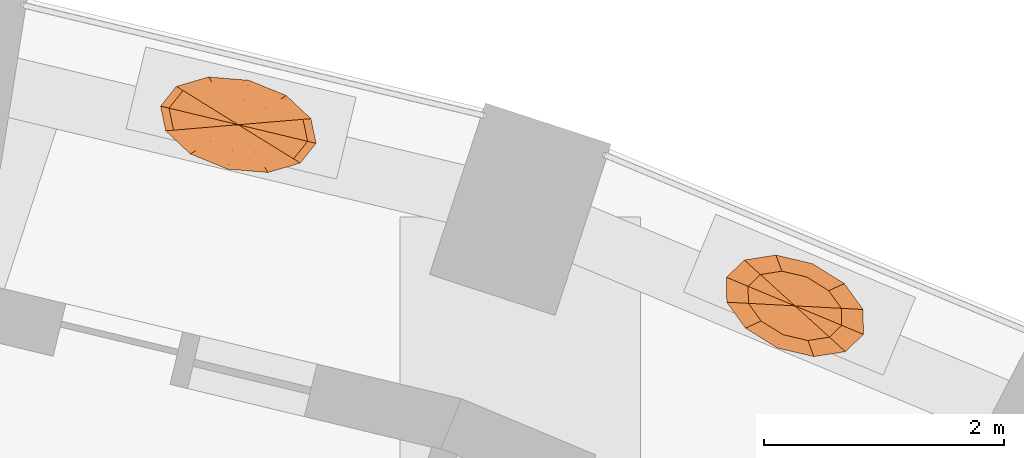
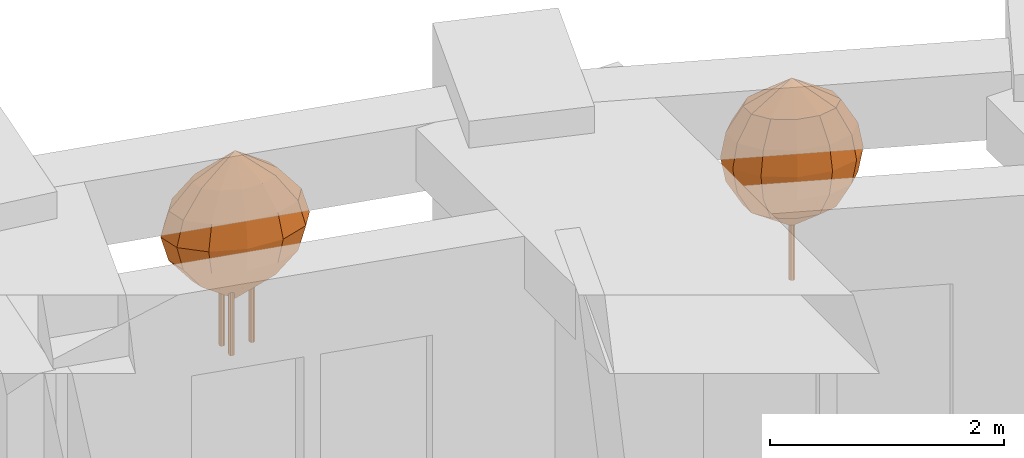
# One storey, part 13 of 13: 2 geographic elements.
"""IFC4 building model written with IfcOpenShell, lengths in metres."""

from ifc_helpers import new_model, si_unit, direction, frame, origin, place, context, subcontext, project, spatial, faceted_brep, material, constituent, constituent_set, type_object, element, save


model = new_model("IFC4")

# Units and contexts
model_context = context("Model", 3, precision=1e-05, world=origin(), true_north=direction((0.0, 1.0)))
body_context = subcontext(model_context, "Body", "Model", "MODEL_VIEW")
ifc_project = project(units=[si_unit("LENGTHUNIT", "METRE"), si_unit("AREAUNIT", "SQUARE_METRE"), si_unit("VOLUMEUNIT", "CUBIC_METRE"), si_unit("PLANEANGLEUNIT", "RADIAN"), si_unit("MASSUNIT", "GRAM", prefix="KILO")], contexts=[model_context])

# Site, building, storey
site_placement = place(None, origin())
site = spatial("IfcSite", under=ifc_project, at=site_placement, CompositionType="ELEMENT")
building_placement = place(site_placement, origin())
building = spatial("IfcBuilding", under=site, at=building_placement, Name="Taillehof Tower", CompositionType="ELEMENT")
storey_placement = place(building_placement, frame((0.0, 0.0, 67.89990234375)))
storey = spatial("IfcBuildingStorey", under=building, at=storey_placement, Name="L18", CompositionType="ELEMENT", Elevation=67.89990234375)

# Geographic elements
ifc_material_1 = material(Name="Tree bark", Category="timber")
ifc_constituent_1 = constituent(ifc_material_1, Name="Trunk", Category="timber")
ifc_material_2 = material(Name="Tree foliage")
ifc_constituent_2 = constituent(ifc_material_2, Name="Crown")
ifc_constituent_set_1 = constituent_set(constituents=[ifc_constituent_1, ifc_constituent_2], Name="Tree TR1 Columnar hornbeam")
geographic_element_type_1 = type_object("IfcGeographicElementType", Name="Tree TR1 Columnar hornbeam", PredefinedType="USERDEFINED", material=ifc_constituent_set_1)
geographic_element_1_placement = place(storey_placement, frame((11.947509765625, 22.923583984375, 0.75)))
element("IfcGeographicElement", 1, at=geographic_element_1_placement, inside=storey, type_object=geographic_element_type_1, Name="Tree TR1 Columnar hornbeam", ObjectType="TREE", PredefinedType="USERDEFINED", context=body_context, shape_type="Brep", body=[
    faceted_brep([(0.030029296875, 0.0, 0.0), (0.021240234375, 0.021240234375, 0.0), (0.021240234375, 0.021240234375, 1.092529296875), (0.030029296875, 0.0, 1.092529296875), (0.0, 0.030029296875, 0.0), (0.0, 0.030029296875, 1.092529296875), (-0.021240234375, 0.021240234375, 0.0), (-0.021240234375, 0.021240234375, 1.092529296875), (-0.030029296875, 0.0, 0.0), (-0.030029296875, 0.0, 1.092529296875), (-0.021240234375, -0.021240234375, 0.0), (-0.021240234375, -0.021240234375, 1.092529296875), (0.0, -0.030029296875, 0.0), (0.0, -0.030029296875, 1.092529296875), (0.021240234375, -0.021240234375, 0.0), (0.021240234375, -0.021240234375, 1.092529296875)], [[[0, 1, 2, 3]], [[1, 4, 5, 2]], [[4, 6, 7, 5]], [[6, 8, 9, 7]], [[8, 10, 11, 9]], [[10, 12, 13, 11]], [[12, 14, 15, 13]], [[14, 0, 3, 15]], [[14, 12, 10, 8, 6, 4, 1, 0]], [[3, 2, 5, 7, 9, 11, 13, 15]]]),
    faceted_brep([(0.0, 0.0, 0.550048828125), (-0.386962890625, 0.020751953125, 0.808349609375), (-0.389404296875, 0.162353515625, 0.808349609375), (-0.28125, -0.126220703125, 0.808349609375), (-0.099853515625, -0.239501953125, 0.808349609375), (0.108154296875, -0.28857421875, 0.808349609375), (0.287109375, -0.26025390625, 0.808349609375), (0.389404296875, -0.162353515625, 0.808349609375), (0.386962890625, -0.020751953125, 0.808349609375), (0.28125, 0.126220703125, 0.808349609375), (0.099853515625, 0.239501953125, 0.808349609375), (-0.108154296875, 0.28857421875, 0.808349609375), (-0.287109375, 0.26025390625, 0.808349609375), (-0.523681640625, 0.028076171875, 1.066650390625), (-0.526611328125, 0.219482421875, 1.066650390625), (-0.38037109375, -0.1708984375, 1.066650390625), (-0.135009765625, -0.323974609375, 1.066650390625), (0.146240234375, -0.390380859375, 1.066650390625), (0.388427734375, -0.35205078125, 1.066650390625), (0.526611328125, -0.219482421875, 1.066650390625), (0.523681640625, -0.028076171875, 1.066650390625), (0.38037109375, 0.1708984375, 1.066650390625), (0.135009765625, 0.323974609375, 1.066650390625), (-0.146240234375, 0.390380859375, 1.066650390625), (-0.388427734375, 0.35205078125, 1.066650390625), (-0.566650390625, 0.0302734375, 1.324951171875), (-0.570068359375, 0.237548828125, 1.324951171875), (-0.41162109375, -0.18505859375, 1.324951171875), (-0.146240234375, -0.350830078125, 1.324951171875), (0.158447265625, -0.422607421875, 1.324951171875), (0.42041015625, -0.381103515625, 1.324951171875), (0.570068359375, -0.237548828125, 1.324951171875), (0.566650390625, -0.0302734375, 1.324951171875), (0.41162109375, 0.18505859375, 1.324951171875), (0.146240234375, 0.350830078125, 1.324951171875), (-0.158447265625, 0.422607421875, 1.324951171875), (-0.42041015625, 0.381103515625, 1.324951171875), (-0.523681640625, 0.028076171875, 1.583251953125), (-0.526611328125, 0.219482421875, 1.583251953125), (-0.38037109375, -0.1708984375, 1.583251953125), (-0.135009765625, -0.323974609375, 1.583251953125), (0.146240234375, -0.390380859375, 1.583251953125), (0.388427734375, -0.35205078125, 1.583251953125), (0.526611328125, -0.219482421875, 1.583251953125), (0.523681640625, -0.028076171875, 1.583251953125), (0.38037109375, 0.1708984375, 1.583251953125), (0.135009765625, 0.323974609375, 1.583251953125), (-0.146240234375, 0.390380859375, 1.583251953125), (-0.388427734375, 0.35205078125, 1.583251953125), (-0.386962890625, 0.020751953125, 1.841552734375), (-0.389404296875, 0.162353515625, 1.841552734375), (-0.28125, -0.126220703125, 1.841552734375), (-0.099853515625, -0.239501953125, 1.841552734375), (0.108154296875, -0.28857421875, 1.841552734375), (0.287109375, -0.26025390625, 1.841552734375), (0.389404296875, -0.162353515625, 1.841552734375), (0.386962890625, -0.020751953125, 1.841552734375), (0.28125, 0.126220703125, 1.841552734375), (0.099853515625, 0.239501953125, 1.841552734375), (-0.108154296875, 0.28857421875, 1.841552734375), (-0.287109375, 0.26025390625, 1.841552734375), (0.0, 0.0, 2.10009765625)], [[[0, 1, 2]], [[0, 3, 1]], [[0, 4, 3]], [[0, 5, 4]], [[0, 6, 5]], [[0, 7, 6]], [[0, 8, 7]], [[0, 9, 8]], [[0, 10, 9]], [[0, 11, 10]], [[0, 12, 11]], [[0, 2, 12]], [[2, 1, 13, 14]], [[1, 3, 15, 13]], [[3, 4, 16, 15]], [[4, 5, 17, 16]], [[5, 6, 18, 17]], [[6, 7, 19, 18]], [[7, 8, 20, 19]], [[8, 9, 21, 20]], [[9, 10, 22, 21]], [[10, 11, 23, 22]], [[11, 12, 24, 23]], [[12, 2, 14, 24]], [[14, 13, 25, 26]], [[13, 15, 27, 25]], [[15, 16, 28, 27]], [[16, 17, 29, 28]], [[17, 18, 30, 29]], [[18, 19, 31, 30]], [[19, 20, 32, 31]], [[20, 21, 33, 32]], [[21, 22, 34, 33]], [[22, 23, 35, 34]], [[23, 24, 36, 35]], [[24, 14, 26, 36]], [[26, 25, 37, 38]], [[25, 27, 39, 37]], [[27, 28, 40, 39]], [[28, 29, 41, 40]], [[29, 30, 42, 41]], [[30, 31, 43, 42]], [[31, 32, 44, 43]], [[32, 33, 45, 44]], [[33, 34, 46, 45]], [[34, 35, 47, 46]], [[35, 36, 48, 47]], [[36, 26, 38, 48]], [[38, 37, 49, 50]], [[37, 39, 51, 49]], [[39, 40, 52, 51]], [[40, 41, 53, 52]], [[41, 42, 54, 53]], [[42, 43, 55, 54]], [[43, 44, 56, 55]], [[44, 45, 57, 56]], [[45, 46, 58, 57]], [[46, 47, 59, 58]], [[47, 48, 60, 59]], [[48, 38, 50, 60]], [[50, 49, 61]], [[49, 51, 61]], [[51, 52, 61]], [[52, 53, 61]], [[53, 54, 61]], [[54, 55, 61]], [[55, 56, 61]], [[56, 57, 61]], [[57, 58, 61]], [[58, 59, 61]], [[59, 60, 61]], [[60, 50, 61]]]),
])
ifc_material_3 = material(Name="Tree bark", Category="timber")
ifc_constituent_3 = constituent(ifc_material_3, Name="Trunk", Category="timber")
ifc_material_4 = material(Name="Tree foliage")
ifc_constituent_4 = constituent(ifc_material_4, Name="Crown")
ifc_constituent_set_2 = constituent_set(constituents=[ifc_constituent_3, ifc_constituent_4], Name="Tree TR3 Multi-stem serviceberry")
geographic_element_type_2 = type_object("IfcGeographicElementType", Name="Tree TR3 Multi-stem serviceberry", PredefinedType="USERDEFINED", material=ifc_constituent_set_2)
geographic_element_2_placement = place(storey_placement, frame((7.31640625, 24.430419921875, 0.75)))
element("IfcGeographicElement", 2, at=geographic_element_2_placement, inside=storey, type_object=geographic_element_type_2, Name="Tree TR3 Multi-stem serviceberry", ObjectType="TREE", PredefinedType="USERDEFINED", context=body_context, shape_type="Brep", body=[
    faceted_brep([(0.195068359375, 0.0, 0.0), (0.186767578125, 0.0205078125, 0.0), (0.186767578125, 0.0205078125, 1.04248046875), (0.195068359375, 0.0, 1.04248046875), (0.166259765625, 0.02880859375, 0.0), (0.166259765625, 0.02880859375, 1.04248046875), (0.145751953125, 0.0205078125, 0.0), (0.145751953125, 0.0205078125, 1.04248046875), (0.137451171875, 0.0, 0.0), (0.137451171875, 0.0, 1.04248046875), (0.145751953125, -0.0205078125, 0.0), (0.145751953125, -0.0205078125, 1.04248046875), (0.166259765625, -0.02880859375, 0.0), (0.166259765625, -0.02880859375, 1.04248046875), (0.186767578125, -0.0205078125, 0.0), (0.186767578125, -0.0205078125, 1.04248046875)], [[[0, 1, 2, 3]], [[1, 4, 5, 2]], [[4, 6, 7, 5]], [[6, 8, 9, 7]], [[8, 10, 11, 9]], [[10, 12, 13, 11]], [[12, 14, 15, 13]], [[14, 0, 3, 15]], [[14, 12, 10, 8, 6, 4, 1, 0]], [[3, 2, 5, 7, 9, 11, 13, 15]]]),
    faceted_brep([(-0.05419921875, 0.082275390625, 0.0), (-0.062744140625, 0.102783203125, 0.0), (-0.062744140625, 0.102783203125, 1.04248046875), (-0.05419921875, 0.082275390625, 1.04248046875), (-0.0830078125, 0.111083984375, 0.0), (-0.0830078125, 0.111083984375, 1.04248046875), (-0.103515625, 0.102783203125, 0.0), (-0.103515625, 0.102783203125, 1.04248046875), (-0.112060546875, 0.082275390625, 0.0), (-0.112060546875, 0.082275390625, 1.04248046875), (-0.103515625, 0.061767578125, 0.0), (-0.103515625, 0.061767578125, 1.04248046875), (-0.0830078125, 0.053466796875, 0.0), (-0.0830078125, 0.053466796875, 1.04248046875), (-0.062744140625, 0.061767578125, 0.0), (-0.062744140625, 0.061767578125, 1.04248046875)], [[[0, 1, 2, 3]], [[1, 4, 5, 2]], [[4, 6, 7, 5]], [[6, 8, 9, 7]], [[8, 10, 11, 9]], [[10, 12, 13, 11]], [[12, 14, 15, 13]], [[14, 0, 3, 15]], [[14, 12, 10, 8, 6, 4, 1, 0]], [[3, 2, 5, 7, 9, 11, 13, 15]]]),
    faceted_brep([(-0.05419921875, -0.082275390625, 0.0), (-0.062744140625, -0.061767578125, 0.0), (-0.062744140625, -0.061767578125, 1.04248046875), (-0.05419921875, -0.082275390625, 1.04248046875), (-0.0830078125, -0.053466796875, 0.0), (-0.0830078125, -0.053466796875, 1.04248046875), (-0.103515625, -0.061767578125, 0.0), (-0.103515625, -0.061767578125, 1.04248046875), (-0.112060546875, -0.082275390625, 0.0), (-0.112060546875, -0.082275390625, 1.04248046875), (-0.103515625, -0.102783203125, 0.0), (-0.103515625, -0.102783203125, 1.04248046875), (-0.0830078125, -0.111083984375, 0.0), (-0.0830078125, -0.111083984375, 1.04248046875), (-0.062744140625, -0.102783203125, 0.0), (-0.062744140625, -0.102783203125, 1.04248046875)], [[[0, 1, 2, 3]], [[1, 4, 5, 2]], [[4, 6, 7, 5]], [[6, 8, 9, 7]], [[8, 10, 11, 9]], [[10, 12, 13, 11]], [[12, 14, 15, 13]], [[14, 0, 3, 15]], [[14, 12, 10, 8, 6, 4, 1, 0]], [[3, 2, 5, 7, 9, 11, 13, 15]]]),
    faceted_brep([(0.0, 0.0, 0.5), (-0.34716796875, -0.029052734375, 0.75830078125), (-0.371337890625, 0.0888671875, 0.75830078125), (-0.229736328125, -0.139404296875, 0.75830078125), (-0.05078125, -0.212158203125, 0.75830078125), (0.1416015625, -0.228271484375, 0.75830078125), (0.296142578125, -0.18310546875, 0.75830078125), (0.371337890625, -0.0888671875, 0.75830078125), (0.34716796875, 0.029052734375, 0.75830078125), (0.229736328125, 0.139404296875, 0.75830078125), (0.05078125, 0.212158203125, 0.75830078125), (-0.1416015625, 0.228271484375, 0.75830078125), (-0.296142578125, 0.18310546875, 0.75830078125), (-0.53857421875, -0.045166015625, 1.0166015625), (-0.576416015625, 0.13818359375, 1.0166015625), (-0.3564453125, -0.21630859375, 1.0166015625), (-0.078857421875, -0.329345703125, 1.0166015625), (0.219970703125, -0.354248046875, 1.0166015625), (0.459716796875, -0.2841796875, 1.0166015625), (0.576416015625, -0.13818359375, 1.0166015625), (0.53857421875, 0.045166015625, 1.0166015625), (0.3564453125, 0.21630859375, 1.0166015625), (0.078857421875, 0.329345703125, 1.0166015625), (-0.219970703125, 0.354248046875, 1.0166015625), (-0.459716796875, 0.2841796875, 1.0166015625), (-0.604248046875, -0.050537109375, 1.27490234375), (-0.646728515625, 0.15478515625, 1.27490234375), (-0.39990234375, -0.24267578125, 1.27490234375), (-0.088623046875, -0.36962890625, 1.27490234375), (0.24658203125, -0.3974609375, 1.27490234375), (0.515869140625, -0.31884765625, 1.27490234375), (0.646728515625, -0.15478515625, 1.27490234375), (0.604248046875, 0.050537109375, 1.27490234375), (0.39990234375, 0.24267578125, 1.27490234375), (0.088623046875, 0.36962890625, 1.27490234375), (-0.24658203125, 0.3974609375, 1.27490234375), (-0.515869140625, 0.31884765625, 1.27490234375), (-0.53857421875, -0.045166015625, 1.533447265625), (-0.576416015625, 0.13818359375, 1.533447265625), (-0.3564453125, -0.21630859375, 1.533447265625), (-0.078857421875, -0.329345703125, 1.533447265625), (0.219970703125, -0.354248046875, 1.533447265625), (0.459716796875, -0.2841796875, 1.533447265625), (0.576416015625, -0.13818359375, 1.533447265625), (0.53857421875, 0.045166015625, 1.533447265625), (0.3564453125, 0.21630859375, 1.533447265625), (0.078857421875, 0.329345703125, 1.533447265625), (-0.219970703125, 0.354248046875, 1.533447265625), (-0.459716796875, 0.2841796875, 1.533447265625), (-0.34716796875, -0.029052734375, 1.791748046875), (-0.371337890625, 0.0888671875, 1.791748046875), (-0.229736328125, -0.139404296875, 1.791748046875), (-0.05078125, -0.212158203125, 1.791748046875), (0.1416015625, -0.228271484375, 1.791748046875), (0.296142578125, -0.18310546875, 1.791748046875), (0.371337890625, -0.0888671875, 1.791748046875), (0.34716796875, 0.029052734375, 1.791748046875), (0.229736328125, 0.139404296875, 1.791748046875), (0.05078125, 0.212158203125, 1.791748046875), (-0.1416015625, 0.228271484375, 1.791748046875), (-0.296142578125, 0.18310546875, 1.791748046875), (0.0, 0.0, 2.050048828125)], [[[0, 1, 2]], [[0, 3, 1]], [[0, 4, 3]], [[0, 5, 4]], [[0, 6, 5]], [[0, 7, 6]], [[0, 8, 7]], [[0, 9, 8]], [[0, 10, 9]], [[0, 11, 10]], [[0, 12, 11]], [[0, 2, 12]], [[2, 1, 13, 14]], [[1, 3, 15, 13]], [[3, 4, 16, 15]], [[4, 5, 17, 16]], [[5, 6, 18, 17]], [[6, 7, 19, 18]], [[7, 8, 20, 19]], [[8, 9, 21, 20]], [[9, 10, 22, 21]], [[10, 11, 23, 22]], [[11, 12, 24, 23]], [[12, 2, 14, 24]], [[14, 13, 25, 26]], [[13, 15, 27, 25]], [[15, 16, 28, 27]], [[16, 17, 29, 28]], [[17, 18, 30, 29]], [[18, 19, 31, 30]], [[19, 20, 32, 31]], [[20, 21, 33, 32]], [[21, 22, 34, 33]], [[22, 23, 35, 34]], [[23, 24, 36, 35]], [[24, 14, 26, 36]], [[26, 25, 37, 38]], [[25, 27, 39, 37]], [[27, 28, 40, 39]], [[28, 29, 41, 40]], [[29, 30, 42, 41]], [[30, 31, 43, 42]], [[31, 32, 44, 43]], [[32, 33, 45, 44]], [[33, 34, 46, 45]], [[34, 35, 47, 46]], [[35, 36, 48, 47]], [[36, 26, 38, 48]], [[38, 37, 49, 50]], [[37, 39, 51, 49]], [[39, 40, 52, 51]], [[40, 41, 53, 52]], [[41, 42, 54, 53]], [[42, 43, 55, 54]], [[43, 44, 56, 55]], [[44, 45, 57, 56]], [[45, 46, 58, 57]], [[46, 47, 59, 58]], [[47, 48, 60, 59]], [[48, 38, 50, 60]], [[50, 49, 61]], [[49, 51, 61]], [[51, 52, 61]], [[52, 53, 61]], [[53, 54, 61]], [[54, 55, 61]], [[55, 56, 61]], [[56, 57, 61]], [[57, 58, 61]], [[58, 59, 61]], [[59, 60, 61]], [[60, 50, 61]]]),
])

save(model, "model.ifc")
